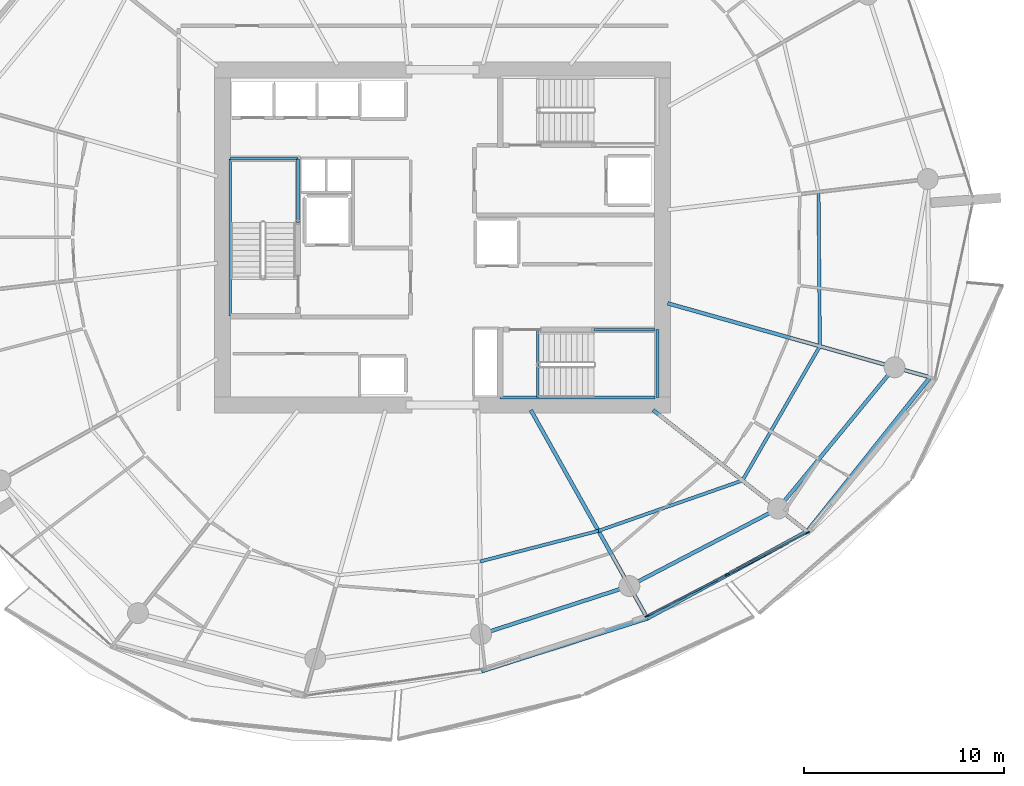
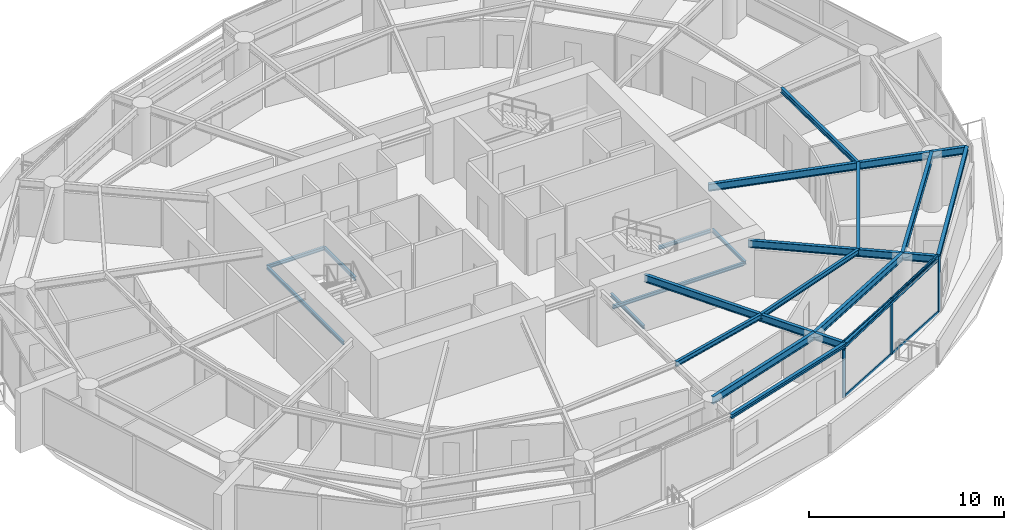
# One storey, part 6 of 20: 20 beams, 7 members, 1 element without a shape of its own.
"""IFC4 building model written with IfcOpenShell, lengths in metres."""

from ifc_helpers import new_model, si_unit, direction, frame, origin, origin_2d, place, context, subcontext, project, spatial, rectangle, i_section, extrude, material, layer, layer_set, material_profile, profile_set, type_object, element, aggregate, save


model = new_model("IFC4")

# Units and contexts
model_context = context("Model", 3, precision=1e-05, world=origin(), true_north=direction((0.0, 1.0)))
body_context = subcontext(model_context, "Body", "Model", "MODEL_VIEW")
ifc_project = project(units=[si_unit("LENGTHUNIT", "METRE"), si_unit("AREAUNIT", "SQUARE_METRE"), si_unit("VOLUMEUNIT", "CUBIC_METRE"), si_unit("PLANEANGLEUNIT", "RADIAN"), si_unit("MASSUNIT", "GRAM", prefix="KILO")], contexts=[model_context])

# Site, building, storey
site_placement = place(None, origin())
site = spatial("IfcSite", under=ifc_project, at=site_placement, CompositionType="ELEMENT")
building_placement = place(site_placement, origin())
building = spatial("IfcBuilding", under=site, at=building_placement, Name="Kazma Halo Residences", CompositionType="ELEMENT")
storey_placement = place(building_placement, frame((0.0, 0.0, 139.050048828125)))
storey = spatial("IfcBuildingStorey", under=building, at=storey_placement, Name="L34", CompositionType="ELEMENT", Elevation=139.050048828125)

# Beams
ifc_material_1 = material(Name="Steel S355", Category="steel")
ifc_material_profile_1 = material_profile(ifc_material_1, i_section(OverallWidth=0.201904296875, OverallDepth=0.2470703125, WebThickness=0.00732421875, FlangeThickness=0.010986328125, FilletRadius=0.011962890625, at=origin_2d()), Name="W250x49.1")
ifc_profile_set_1 = profile_set([ifc_material_profile_1], Name="Steel S355")
beam_type_1 = type_object("IfcBeamType", Name="BM-BAL-CANT", PredefinedType="BEAM", material=ifc_profile_set_1)
beam_1_placement = place(storey_placement, frame((50.37841796875, 20.269287109375, 3.37646484375), z_axis=(0.952724066304, 0.303836886315, 0.0), x_axis=(-0.303836886315, 0.952724066304, 0.0)))
element("IfcBeam", 1, at=beam_1_placement, inside=storey, type_object=beam_type_1, Name="L34 wave-balcony tie beam 12", PredefinedType="BEAM", context=body_context, shape_type="SweptSolid", body=[
    extrude(i_section(OverallWidth=0.201904296875, OverallDepth=0.2470703125, WebThickness=0.00732421875, FlangeThickness=0.010986328125, FilletRadius=0.011962890625, at=origin_2d()), origin(), (0.0, 0.0, 1.0), 8.719970703125),
])
beam_2_placement = place(storey_placement, frame((58.68603515625, 22.918701171875, 3.37646484375), z_axis=(0.878572913315, 0.477608245312, 0.0), x_axis=(-0.477608245312, 0.878572913315, 0.0)))
element("IfcBeam", 2, at=beam_2_placement, inside=storey, type_object=beam_type_1, Name="L34 wave-balcony tie beam 13", PredefinedType="BEAM", context=body_context, shape_type="SweptSolid", body=[
    extrude(i_section(OverallWidth=0.201904296875, OverallDepth=0.2470703125, WebThickness=0.00732421875, FlangeThickness=0.010986328125, FilletRadius=0.011962890625, at=origin_2d()), origin(), (0.0, 0.0, 1.0), 9.107177734375),
])
beam_3_placement = place(storey_placement, frame((66.687255859375, 27.268310546875, 3.37646484375), z_axis=(0.623742400336, 0.781629975131, 0.0), x_axis=(-0.781629975131, 0.623742400336, 0.0)))
element("IfcBeam", 3, at=beam_3_placement, inside=storey, type_object=beam_type_1, Name="L34 wave-balcony tie beam 14", PredefinedType="BEAM", context=body_context, shape_type="SweptSolid", body=[
    extrude(i_section(OverallWidth=0.201904296875, OverallDepth=0.2470703125, WebThickness=0.00732421875, FlangeThickness=0.010986328125, FilletRadius=0.011962890625, at=origin_2d()), origin(), (0.0, 0.0, 1.0), 9.880859375),
])
ifc_material_profile_2 = material_profile(ifc_material_1, i_section(OverallWidth=0.18994140625, OverallDepth=0.45703125, WebThickness=0.009033203125, FlangeThickness=0.014404296875, FilletRadius=0.01611328125, at=origin_2d()), Name="W460x74")
ifc_profile_set_2 = profile_set([ifc_material_profile_2], Name="Steel S355")
beam_type_2 = type_object("IfcBeamType", Name="BM-RAD-W460", PredefinedType="BEAM", material=ifc_profile_set_2)
beam_4_placement = place(storey_placement, frame((52.84423828125, 33.35009765625, 3.271484375), z_axis=(0.488617048735, -0.872498355119, 0.0), x_axis=(0.872498355119, 0.488617048735, 0.0)))
element("IfcBeam", 4, at=beam_4_placement, inside=storey, type_object=beam_type_2, Name="L34 radial floor beam 13", PredefinedType="BEAM", context=body_context, shape_type="SweptSolid", body=[
    extrude(i_section(OverallWidth=0.18994140625, OverallDepth=0.45703125, WebThickness=0.009033203125, FlangeThickness=0.014404296875, FilletRadius=0.01611328125, at=origin_2d()), origin(), (0.0, 0.0, 1.0), 11.955810546875),
])
beam_5_placement = place(storey_placement, frame((58.972412109375, 33.35009765625, 3.271484375), z_axis=(0.785322142498, -0.619087338347, 0.0), x_axis=(0.619087338347, 0.785322142498, 0.0)))
element("IfcBeam", 5, at=beam_5_placement, inside=storey, type_object=beam_type_2, Name="L34 radial floor beam 14", PredefinedType="BEAM", context=body_context, shape_type="SweptSolid", body=[
    extrude(i_section(OverallWidth=0.18994140625, OverallDepth=0.45703125, WebThickness=0.009033203125, FlangeThickness=0.014404296875, FilletRadius=0.01611328125, at=origin_2d()), origin(), (0.0, 0.0, 1.0), 9.82373046875),
])
beam_6_placement = place(storey_placement, frame((59.699951171875, 38.7001953125, 3.271484375), z_axis=(0.962456259321, -0.271436823024, 0.0), x_axis=(0.271436823024, 0.962456259321, 0.0)))
element("IfcBeam", 6, at=beam_6_placement, inside=storey, type_object=beam_type_2, Name="L34 radial floor beam 15", PredefinedType="BEAM", context=body_context, shape_type="SweptSolid", body=[
    extrude(i_section(OverallWidth=0.18994140625, OverallDepth=0.45703125, WebThickness=0.009033203125, FlangeThickness=0.014404296875, FilletRadius=0.01611328125, at=origin_2d()), origin(), (0.0, 0.0, 1.0), 13.663330078125),
])
ifc_material_profile_3 = material_profile(ifc_material_1, i_section(OverallWidth=0.1650390625, OverallDepth=0.31005859375, WebThickness=0.005859375, FlangeThickness=0.009765625, FilletRadius=0.011962890625, at=origin_2d()), Name="W310x38.7")
ifc_profile_set_3 = profile_set([ifc_material_profile_3], Name="Steel S355")
beam_type_3 = type_object("IfcBeamType", Name="BM-SEC-W310B", PredefinedType="JOIST", material=ifc_profile_set_3)
beam_7_placement = place(storey_placement, frame((50.303466796875, 25.76318359375, 3.344970703125), z_axis=(0.968017337658, 0.250883307524, 0.0), x_axis=(-0.250883307524, 0.968017337658, 0.0)))
element("IfcBeam", 7, at=beam_7_placement, inside=storey, type_object=beam_type_3, Name="L34 circumferential floor joist 12", PredefinedType="JOIST", context=body_context, shape_type="SweptSolid", body=[
    extrude(i_section(OverallWidth=0.1650390625, OverallDepth=0.31005859375, WebThickness=0.005859375, FlangeThickness=0.009765625, FilletRadius=0.011962890625, at=origin_2d()), origin(), (0.0, 0.0, 1.0), 6.124755859375),
])
beam_8_placement = place(storey_placement, frame((56.232421875, 27.2998046875, 3.344970703125), z_axis=(0.943956421223, 0.330070105935, 0.0), x_axis=(-0.330070105935, 0.943956421223, 0.0)))
element("IfcBeam", 8, at=beam_8_placement, inside=storey, type_object=beam_type_3, Name="L34 circumferential floor joist 13", PredefinedType="JOIST", context=body_context, shape_type="SweptSolid", body=[
    extrude(i_section(OverallWidth=0.1650390625, OverallDepth=0.31005859375, WebThickness=0.005859375, FlangeThickness=0.009765625, FilletRadius=0.011962890625, at=origin_2d()), origin(), (0.0, 0.0, 1.0), 7.642822265625),
])
beam_9_placement = place(storey_placement, frame((63.447021484375, 29.822509765625, 3.344970703125), z_axis=(0.499666203496, 0.866218035533, 0.0), x_axis=(-0.866218035533, 0.499666203496, 0.0)))
element("IfcBeam", 9, at=beam_9_placement, inside=storey, type_object=beam_type_3, Name="L34 circumferential floor joist 14", PredefinedType="JOIST", context=body_context, shape_type="SweptSolid", body=[
    extrude(i_section(OverallWidth=0.1650390625, OverallDepth=0.31005859375, WebThickness=0.005859375, FlangeThickness=0.009765625, FilletRadius=0.011962890625, at=origin_2d()), origin(), (0.0, 0.0, 1.0), 7.765380859375),
])
beam_10_placement = place(storey_placement, frame((67.3271484375, 36.549072265625, 3.344970703125), z_axis=(-0.008779348348, 0.999961460779, 0.0), x_axis=(-0.999961460779, -0.008779348348, 0.0)))
element("IfcBeam", 10, at=beam_10_placement, inside=storey, type_object=beam_type_3, Name="L34 circumferential floor joist 15", PredefinedType="JOIST", context=body_context, shape_type="SweptSolid", body=[
    extrude(i_section(OverallWidth=0.1650390625, OverallDepth=0.31005859375, WebThickness=0.005859375, FlangeThickness=0.009765625, FilletRadius=0.011962890625, at=origin_2d()), origin(), (0.0, 0.0, 1.0), 7.730712890625),
])
ifc_material_profile_4 = material_profile(ifc_material_1, i_section(OverallWidth=0.18994140625, OverallDepth=0.45703125, WebThickness=0.009033203125, FlangeThickness=0.014404296875, FilletRadius=0.01611328125, at=origin_2d()), Name="W460x74")
ifc_profile_set_4 = profile_set([ifc_material_profile_4], Name="Steel S355")
beam_type_4 = type_object("IfcBeamType", Name="BM-SPN-W460", PredefinedType="BEAM", material=ifc_profile_set_4)
beam_11_placement = place(storey_placement, frame((50.35302734375, 22.118896484375, 3.271484375), z_axis=(0.95105634578, 0.309017519167, 0.0), x_axis=(-0.309017519167, 0.95105634578, 0.0)))
element("IfcBeam", 11, at=beam_11_placement, inside=storey, type_object=beam_type_4, Name="L34 perimeter ring beam 12", PredefinedType="BEAM", context=body_context, shape_type="SweptSolid", body=[
    extrude(i_section(OverallWidth=0.18994140625, OverallDepth=0.45703125, WebThickness=0.009033203125, FlangeThickness=0.014404296875, FilletRadius=0.01611328125, at=origin_2d()), origin(), (0.0, 0.0, 1.0), 7.811279296875),
])
beam_12_placement = place(storey_placement, frame((57.781982421875, 24.53271484375, 3.271484375), z_axis=(0.886943099021, 0.461878706046, 0.0), x_axis=(-0.461878706046, 0.886943099021, 0.0)))
element("IfcBeam", 12, at=beam_12_placement, inside=storey, type_object=beam_type_4, Name="L34 perimeter ring beam 13", PredefinedType="BEAM", context=body_context, shape_type="SweptSolid", body=[
    extrude(i_section(OverallWidth=0.18994140625, OverallDepth=0.45703125, WebThickness=0.009033203125, FlangeThickness=0.014404296875, FilletRadius=0.01611328125, at=origin_2d()), origin(), (0.0, 0.0, 1.0), 8.40234375),
])
beam_13_placement = place(storey_placement, frame((65.234375, 28.41357421875, 3.271484375), z_axis=(0.636018723515, 0.771673624882, 0.0), x_axis=(-0.771673624882, 0.636018723515, 0.0)))
element("IfcBeam", 13, at=beam_13_placement, inside=storey, type_object=beam_type_4, Name="L34 perimeter ring beam 14", PredefinedType="BEAM", context=body_context, shape_type="SweptSolid", body=[
    extrude(i_section(OverallWidth=0.18994140625, OverallDepth=0.45703125, WebThickness=0.009033203125, FlangeThickness=0.014404296875, FilletRadius=0.01611328125, at=origin_2d()), origin(), (0.0, 0.0, 1.0), 9.175048828125),
])
ifc_material_profile_5 = material_profile(ifc_material_1, i_section(OverallWidth=0.133056640625, OverallDepth=0.20703125, WebThickness=0.005859375, FlangeThickness=0.00830078125, FilletRadius=0.010009765625, at=origin_2d()), Name="W200x26.6")
ifc_profile_set_5 = profile_set([ifc_material_profile_5], Name="Steel S355")
beam_type_5 = type_object("IfcBeamType", Name="BM-TRIM-W200", PredefinedType="BEAM", material=ifc_profile_set_5)
beam_14_placement = place(storey_placement, frame((53.199951171875, 34.0, -0.360107421875), z_axis=(0.0, 1.0, 0.0), x_axis=(-1.0, 0.0, 0.0)))
element("IfcBeam", 14, at=beam_14_placement, inside=storey, type_object=beam_type_5, Name="L34 ST-03 floor landing support beam", PredefinedType="BEAM", context=body_context, shape_type="SweptSolid", body=[
    extrude(i_section(OverallWidth=0.133056640625, OverallDepth=0.20703125, WebThickness=0.005859375, FlangeThickness=0.00830078125, FilletRadius=0.010009765625, at=origin_2d()), origin(), (0.0, 0.0, 1.0), 3.3798828125),
])
beam_15_placement = place(storey_placement, frame((37.780029296875, 38.06005859375, 1.570068359375), z_axis=(0.0, 1.0, 0.0), x_axis=(-1.0, 0.0, 0.0)))
element("IfcBeam", 15, at=beam_15_placement, inside=storey, type_object=beam_type_5, Name="L34 ST-01 landing west wall ledger", PredefinedType="BEAM", context=body_context, shape_type="SweptSolid", body=[
    extrude(i_section(OverallWidth=0.133056640625, OverallDepth=0.20703125, WebThickness=0.005859375, FlangeThickness=0.00830078125, FilletRadius=0.010009765625, at=origin_2d()), origin(), (0.0, 0.0, 1.0), 7.8798828125),
])
beam_16_placement = place(storey_placement, frame((41.179931640625, 42.75, 1.570068359375), z_axis=(0.0, 1.0, 0.0), x_axis=(-1.0, 0.0, 0.0)))
element("IfcBeam", 16, at=beam_16_placement, inside=storey, type_object=beam_type_5, Name="L34 ST-01 landing east wall ledger", PredefinedType="BEAM", context=body_context, shape_type="SweptSolid", body=[
    extrude(i_section(OverallWidth=0.133056640625, OverallDepth=0.20703125, WebThickness=0.005859375, FlangeThickness=0.00830078125, FilletRadius=0.010009765625, at=origin_2d()), origin(), (0.0, 0.0, 1.0), 3.18994140625),
])
beam_17_placement = place(storey_placement, frame((37.780029296875, 45.93994140625, 1.570068359375), z_axis=(1.0, 0.0, 0.0), x_axis=(0.0, 1.0, 0.0)))
element("IfcBeam", 17, at=beam_17_placement, inside=storey, type_object=beam_type_5, Name="L34 ST-01 landing end wall ledger", PredefinedType="BEAM", context=body_context, shape_type="SweptSolid", body=[
    extrude(i_section(OverallWidth=0.133056640625, OverallDepth=0.20703125, WebThickness=0.005859375, FlangeThickness=0.00830078125, FilletRadius=0.010009765625, at=origin_2d()), origin(), (0.0, 0.0, 1.0), 3.39990234375),
])
beam_18_placement = place(storey_placement, frame((51.31005859375, 33.97998046875, 1.570068359375), z_axis=(1.0, 0.0, 0.0), x_axis=(0.0, 1.0, 0.0)))
element("IfcBeam", 18, at=beam_18_placement, inside=storey, type_object=beam_type_5, Name="L34 ST-03 landing south wall ledger", PredefinedType="BEAM", context=body_context, shape_type="SweptSolid", body=[
    extrude(i_section(OverallWidth=0.133056640625, OverallDepth=0.20703125, WebThickness=0.005859375, FlangeThickness=0.00830078125, FilletRadius=0.010009765625, at=origin_2d()), origin(), (0.0, 0.0, 1.0), 7.760009765625),
])
beam_19_placement = place(storey_placement, frame((56.0, 37.3798828125, 1.570068359375), z_axis=(1.0, 0.0, 0.0), x_axis=(0.0, 1.0, 0.0)))
element("IfcBeam", 19, at=beam_19_placement, inside=storey, type_object=beam_type_5, Name="L34 ST-03 landing north wall ledger", PredefinedType="BEAM", context=body_context, shape_type="SweptSolid", body=[
    extrude(i_section(OverallWidth=0.133056640625, OverallDepth=0.20703125, WebThickness=0.005859375, FlangeThickness=0.00830078125, FilletRadius=0.010009765625, at=origin_2d()), origin(), (0.0, 0.0, 1.0), 3.070068359375),
])
beam_20_placement = place(storey_placement, frame((59.18994140625, 33.97998046875, 1.570068359375), z_axis=(0.0, 1.0, 0.0), x_axis=(-1.0, 0.0, 0.0)))
element("IfcBeam", 20, at=beam_20_placement, inside=storey, type_object=beam_type_5, Name="L34 ST-03 landing end wall ledger", PredefinedType="BEAM", context=body_context, shape_type="SweptSolid", body=[
    extrude(i_section(OverallWidth=0.133056640625, OverallDepth=0.20703125, WebThickness=0.005859375, FlangeThickness=0.00830078125, FilletRadius=0.010009765625, at=origin_2d()), origin(), (0.0, 0.0, 1.0), 3.39990234375),
])

# Curtain wall, members
ifc_material_2 = material(Name="Aluminium AW-6063 T6 and Triple-Silver Low-E Glass", Category="aluminium")
ifc_layer = layer(ifc_material_2, 0.219970703125)
ifc_layer_set = layer_set([ifc_layer], Name="Aluminium AW-6063 T6 and Triple-Silver Low-E Glass")
curtain_wall_type = type_object("IfcCurtainWallType", Name="CW-SYS-4", PredefinedType="NOTDEFINED", material=ifc_layer_set)
curtain_wall_placement = place(storey_placement, origin())
curtain_wall = element("IfcCurtainWall", 21, at=curtain_wall_placement, inside=storey, type_object=curtain_wall_type, Name="L34 unitised curtain wall B13", PredefinedType="NOTDEFINED")
ifc_material_3 = material(Name="Aluminium AW-6063 T6", Category="aluminium")
ifc_material_profile_6 = material_profile(ifc_material_3, rectangle(XDim=0.074951171875, YDim=0.219970703125, at=origin_2d()), Name="CWM-75x220")
ifc_profile_set_6 = profile_set([ifc_material_profile_6], Name="Aluminium AW-6063 T6")
member_type_1 = type_object("IfcMemberType", Name="CW-SYS-4-MUL", PredefinedType="MULLION", material=ifc_profile_set_6)
member_1_placement = place(storey_placement, frame((58.66552734375, 23.0322265625, 0.0), z_axis=(0.0, 0.0, 1.0), x_axis=(-0.460837484552, 0.887484542306, 0.0)))
member_1 = element("IfcMember", 22, at=member_1_placement, type_object=member_type_1, Name="CWS-4 mullion 1", PredefinedType="MULLION", context=body_context, shape_type="SweptSolid", body=[
    extrude(rectangle(XDim=0.074951171875, YDim=0.219970703125, at=origin_2d()), origin(), (0.0, 0.0, 1.0), 3.5),
])
member_2_placement = place(storey_placement, frame((62.686767578125, 25.120361328125, 0.0), z_axis=(0.0, 0.0, 1.0), x_axis=(-0.460837484552, 0.887484542306, 0.0)))
member_2 = element("IfcMember", 23, at=member_2_placement, type_object=member_type_1, Name="CWS-4 mullion 2", PredefinedType="MULLION", context=body_context, shape_type="SweptSolid", body=[
    extrude(rectangle(XDim=0.074951171875, YDim=0.219970703125, at=origin_2d()), origin(), (0.0, 0.0, 1.0), 3.5),
])
member_3_placement = place(storey_placement, frame((66.7080078125, 27.208251953125, 0.0), z_axis=(0.0, 0.0, 1.0), x_axis=(-0.460837484552, 0.887484542306, 0.0)))
member_3 = element("IfcMember", 24, at=member_3_placement, type_object=member_type_1, Name="CWS-4 mullion 3", PredefinedType="MULLION", context=body_context, shape_type="SweptSolid", body=[
    extrude(rectangle(XDim=0.074951171875, YDim=0.219970703125, at=origin_2d()), origin(), (0.0, 0.0, 1.0), 3.5),
])
ifc_material_profile_7 = material_profile(ifc_material_3, rectangle(XDim=0.074951171875, YDim=0.1650390625, at=origin_2d()), Name="CWT-75x165")
ifc_profile_set_7 = profile_set([ifc_material_profile_7], Name="Aluminium AW-6063 T6")
member_type_2 = type_object("IfcMemberType", Name="CW-SYS-4-TRN", PredefinedType="USERDEFINED", material=ifc_profile_set_7)
member_4_placement = place(storey_placement, frame((58.69873046875, 23.049560546875, 0.037353515625), z_axis=(0.887484872803, 0.460836848077, 0.0), x_axis=(-0.460836848077, 0.887484872803, 0.0)))
member_4 = element("IfcMember", 25, at=member_4_placement, type_object=member_type_2, Name="CWS-4 transom 1.1", ObjectType="TRANSOM", PredefinedType="USERDEFINED", context=body_context, shape_type="SweptSolid", body=[
    extrude(rectangle(XDim=0.074951171875, YDim=0.1650390625, at=origin_2d()), origin(), (0.0, 0.0, 1.0), 4.4560546875),
])
member_5_placement = place(storey_placement, frame((58.69873046875, 23.049560546875, 3.46240234375), z_axis=(0.887484872803, 0.460836848077, 0.0), x_axis=(-0.460836848077, 0.887484872803, 0.0)))
member_5 = element("IfcMember", 26, at=member_5_placement, type_object=member_type_2, Name="CWS-4 transom 1.2", ObjectType="TRANSOM", PredefinedType="USERDEFINED", context=body_context, shape_type="SweptSolid", body=[
    extrude(rectangle(XDim=0.074951171875, YDim=0.1650390625, at=origin_2d()), origin(), (0.0, 0.0, 1.0), 4.4560546875),
])
member_6_placement = place(storey_placement, frame((62.719970703125, 25.137451171875, 0.037353515625), z_axis=(0.887484872803, 0.460836848077, 0.0), x_axis=(-0.460836848077, 0.887484872803, 0.0)))
member_6 = element("IfcMember", 27, at=member_6_placement, type_object=member_type_2, Name="CWS-4 transom 2.1", ObjectType="TRANSOM", PredefinedType="USERDEFINED", context=body_context, shape_type="SweptSolid", body=[
    extrude(rectangle(XDim=0.074951171875, YDim=0.1650390625, at=origin_2d()), origin(), (0.0, 0.0, 1.0), 4.4560546875),
])
member_7_placement = place(storey_placement, frame((62.719970703125, 25.137451171875, 3.46240234375), z_axis=(0.887484872803, 0.460836848077, 0.0), x_axis=(-0.460836848077, 0.887484872803, 0.0)))
member_7 = element("IfcMember", 28, at=member_7_placement, type_object=member_type_2, Name="CWS-4 transom 2.2", ObjectType="TRANSOM", PredefinedType="USERDEFINED", context=body_context, shape_type="SweptSolid", body=[
    extrude(rectangle(XDim=0.074951171875, YDim=0.1650390625, at=origin_2d()), origin(), (0.0, 0.0, 1.0), 4.4560546875),
])
aggregate(curtain_wall, [member_1, member_2, member_3, member_4, member_5, member_6, member_7])

save(model, "model.ifc")
